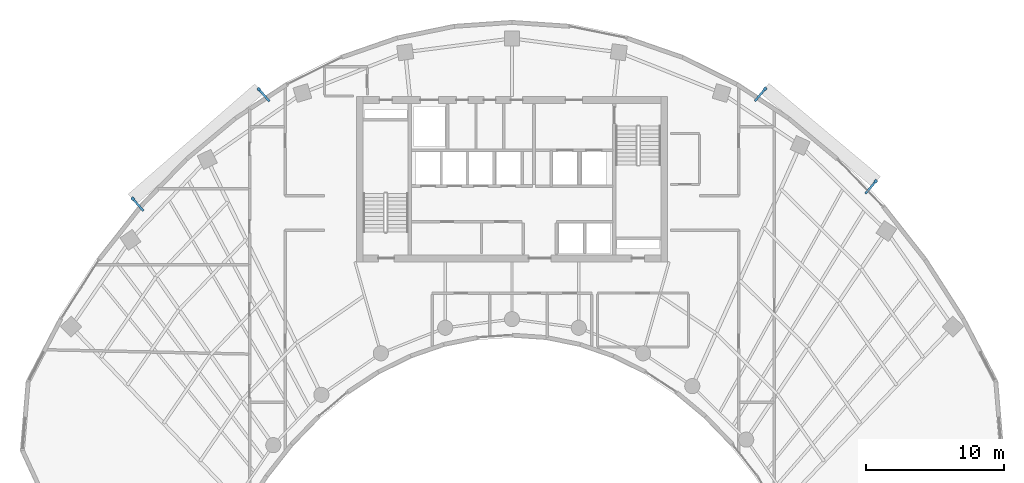
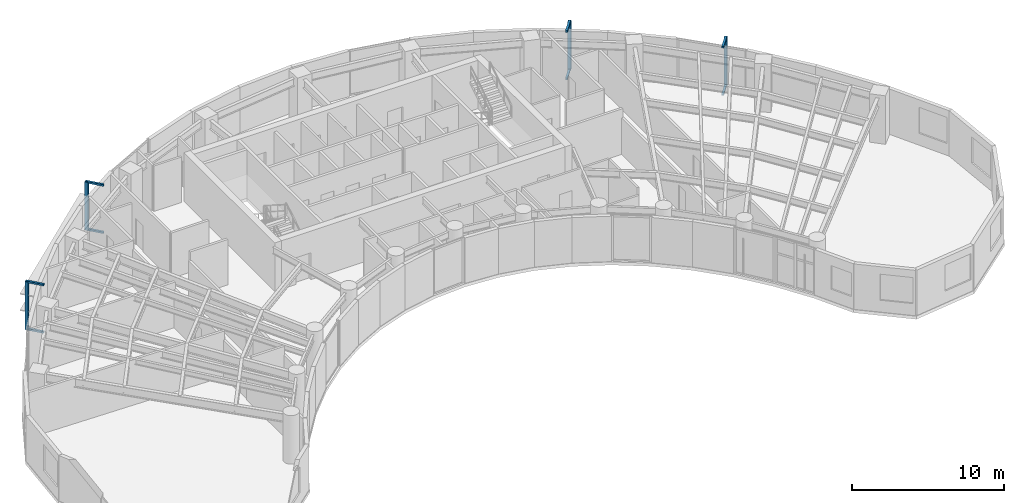
# One storey, part 11 of 13: 12 discrete accessories.
"""IFC4 building model written with IfcOpenShell, lengths in metres."""

from ifc_helpers import new_model, si_unit, direction, frame, origin, origin_2d, place, context, subcontext, project, spatial, rectangle, extrude, source, transform, mapped, material, type_object, type_shapes, element, save


model = new_model("IFC4")

# Units and contexts
model_context = context("Model", 3, precision=1e-05, world=origin(), true_north=direction((0.0, 1.0)))
body_context = subcontext(model_context, "Body", "Model", "MODEL_VIEW")
ifc_project = project(units=[si_unit("LENGTHUNIT", "METRE"), si_unit("AREAUNIT", "SQUARE_METRE"), si_unit("VOLUMEUNIT", "CUBIC_METRE"), si_unit("PLANEANGLEUNIT", "RADIAN"), si_unit("MASSUNIT", "GRAM", prefix="KILO")], contexts=[model_context])

# Site, building, storey
site_placement = place(None, origin())
site = spatial("IfcSite", under=ifc_project, at=site_placement, CompositionType="ELEMENT")
building_placement = place(site_placement, origin())
building = spatial("IfcBuilding", under=site, at=building_placement, Name="Breltana Convention Tower", CompositionType="ELEMENT")
storey_placement = place(building_placement, frame((0.0, 0.0, 174.0)))
storey = spatial("IfcBuildingStorey", under=building, at=storey_placement, Name="L42", CompositionType="ELEMENT", Elevation=174.0)

# Discrete accessories
ifc_material = material(Name="Steel S355", Category="steel")
discrete_accessory_type_1 = type_object("IfcDiscreteAccessoryType", Name="ACC-DSF-BRACKET-150", PredefinedType="BRACKET", material=ifc_material)
shared_shape_1 = source(origin(), body_context, "Body", "SweptSolid", [
    extrude(rectangle(XDim=1.239990234375, YDim=0.14990234375, at=origin_2d()), origin(), (0.0, 0.0, 1.0), 0.139892578125),
])
type_shapes(discrete_accessory_type_1, [shared_shape_1])
for number, where, z_axis, x_axis, name in (
    (1, (20.849853515625, 64.353271484375, -0.16015625), (0.0, 0.0, 1.0), (-0.65645558996, 0.754364672032, 0.0), "L42 double-skin slab stand-off bracket 1.1B"),
    (2, (20.849853515625, 64.353271484375, 3.64990234375), (0.0, 0.0, 1.0), (-0.65645558996, 0.754364672032, 0.0), "L42 double-skin slab stand-off bracket 1.1T"),
    (3, (29.988525390625, 72.305908203125, -0.16015625), (0.0, 0.0, 1.0), (-0.65645558996, 0.754364672032, 0.0), "L42 double-skin slab stand-off bracket 1.2B"),
    (4, (29.988525390625, 72.305908203125, 3.64990234375), (0.0, 0.0, 1.0), (-0.65645558996, 0.754364672032, 0.0), "L42 double-skin slab stand-off bracket 1.2T"),
    (5, (66.019287109375, 72.327880859375, -0.16015625), (0.0, 0.0, 1.0), (0.641989340657, 0.766713562214, 0.0), "L42 double-skin slab stand-off bracket 2.1B"),
    (6, (66.019287109375, 72.327880859375, 3.64990234375), (0.0, 0.0, 1.0), (0.641989340657, 0.766713562214, 0.0), "L42 double-skin slab stand-off bracket 2.1T"),
    (7, (74.037841796875, 65.61376953125, -0.16015625), (0.0, 0.0, 1.0), (0.641989340657, 0.766713562214, 0.0), "L42 double-skin slab stand-off bracket 2.2B"),
    (8, (74.037841796875, 65.61376953125, 3.64990234375), (0.0, 0.0, 1.0), (0.641989340657, 0.766713562214, 0.0), "L42 double-skin slab stand-off bracket 2.2T"),
):
    element("IfcDiscreteAccessory", number, at=place(storey_placement, frame(where, z_axis=z_axis, x_axis=x_axis)), inside=storey, type_object=discrete_accessory_type_1, Name=name, PredefinedType="BRACKET", context=body_context, shape_type="MappedRepresentation", body=[
        mapped(shared_shape_1, transform((0.0, 0.0, 0.0), scale=1.0)),
    ])
discrete_accessory_type_2 = type_object("IfcDiscreteAccessoryType", Name="ACC-DSF-CARRIER-150", PredefinedType="BRACKET", material=ifc_material)
shared_shape_2 = source(origin(), body_context, "Body", "SweptSolid", [
    extrude(rectangle(XDim=0.219970703125, YDim=0.219970703125, at=origin_2d()), origin(), (0.0, 0.0, 1.0), 3.8701171875),
])
for number, where, z_axis, x_axis, name in (
    (9, (20.482177734375, 64.77587890625, -0.1201171875), (0.0, 0.0, 1.0), (-0.65645558996, 0.754364672032, 0.0), "L42 double-skin outer vertical carrier 1.1"),
    (10, (29.620849609375, 72.728271484375, -0.1201171875), (0.0, 0.0, 1.0), (-0.65645558996, 0.754364672032, 0.0), "L42 double-skin outer vertical carrier 1.2"),
    (11, (66.37890625, 72.757080078125, -0.1201171875), (0.0, 0.0, 1.0), (0.641989340657, 0.766713562214, 0.0), "L42 double-skin outer vertical carrier 2.1"),
    (12, (74.3974609375, 66.043212890625, -0.1201171875), (0.0, 0.0, 1.0), (0.641989340657, 0.766713562214, 0.0), "L42 double-skin outer vertical carrier 2.2"),
):
    element("IfcDiscreteAccessory", number, at=place(storey_placement, frame(where, z_axis=z_axis, x_axis=x_axis)), inside=storey, type_object=discrete_accessory_type_2, Name=name, PredefinedType="BRACKET", context=body_context, shape_type="MappedRepresentation", body=[
        mapped(shared_shape_2, transform((0.0, 0.0, 0.0), scale=1.0)),
    ])

save(model, "model.ifc")
